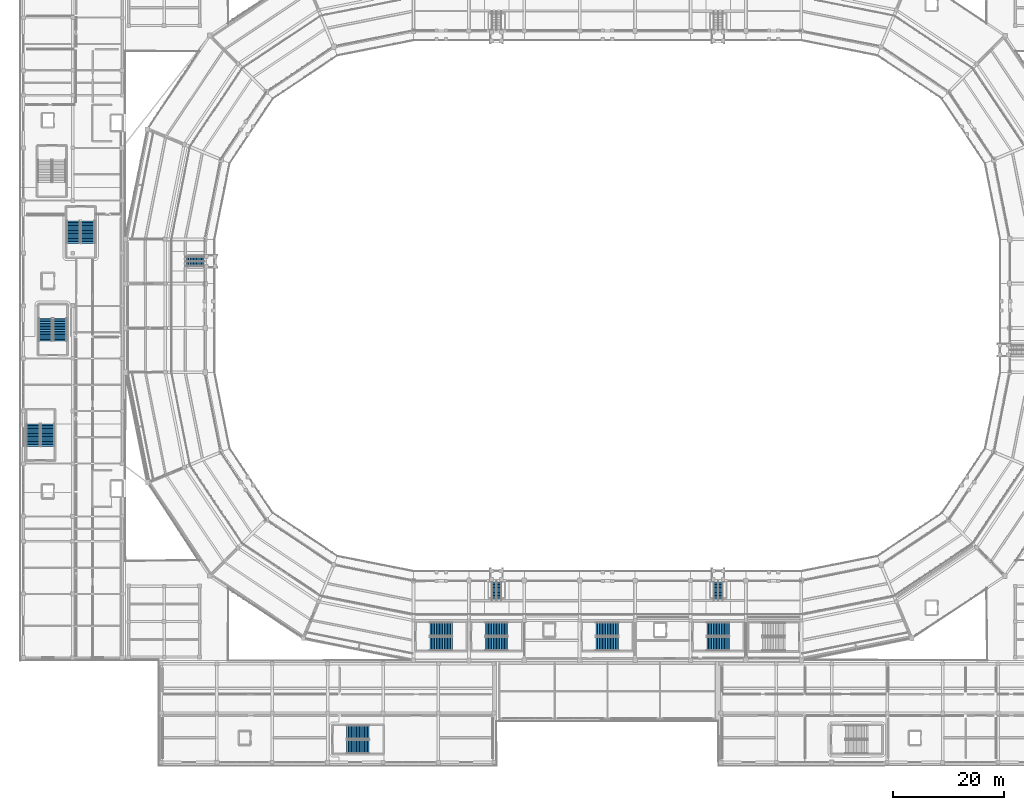
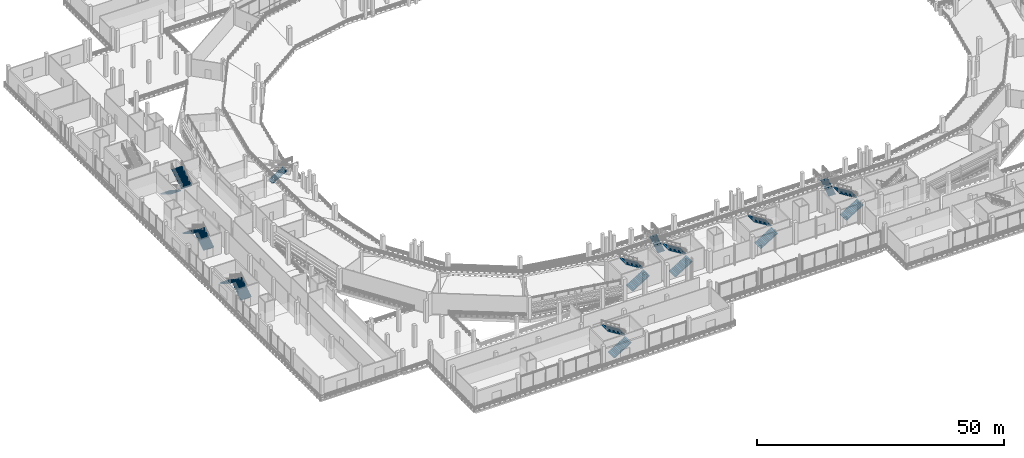
# One storey, part 88 of 127: 19 stair flights, 11 elements without a shape of their own.
"""IFC4 building model written with IfcOpenShell, lengths in metres."""

from ifc_helpers import new_model, si_unit, direction, frame, origin, place, context, subcontext, project, spatial, polyline, outline, extrude, material, type_object, element, aggregate, save


model = new_model("IFC4")

# Units and contexts
model_context = context("Model", 3, precision=1e-05, world=origin(), true_north=direction((0.0, 1.0)))
body_context = subcontext(model_context, "Body", "Model", "MODEL_VIEW")
ifc_project = project(units=[si_unit("LENGTHUNIT", "METRE"), si_unit("AREAUNIT", "SQUARE_METRE"), si_unit("VOLUMEUNIT", "CUBIC_METRE"), si_unit("PLANEANGLEUNIT", "RADIAN"), si_unit("MASSUNIT", "GRAM", prefix="KILO")], contexts=[model_context])

# Site, building, storey
site_placement = place(None, origin())
site = spatial("IfcSite", under=ifc_project, at=site_placement, CompositionType="ELEMENT")
building_placement = place(site_placement, origin())
building = spatial("IfcBuilding", under=site, at=building_placement, Name="Candeia Ridge Stadium", CompositionType="ELEMENT")
storey_placement = place(building_placement, frame((0.0, 0.0, 10.800048828125)))
storey = spatial("IfcBuildingStorey", under=building, at=storey_placement, Name="L02", CompositionType="ELEMENT", Elevation=10.800048828125)

# Stair, stair flights
ifc_material_1 = material(Name="Concrete C40/50", Category="concrete")
stair_type_1 = type_object("IfcStairType", Name="Enclosed Core Half-Turn Stair 2450", PredefinedType="HALF_TURN_STAIR", material=ifc_material_1)
stair_1_placement = place(storey_placement, origin())
stair_1 = element("IfcStair", 1, at=stair_1_placement, inside=storey, type_object=stair_type_1, Name="L02 Enclosed exit stair ST02", PredefinedType="HALF_TURN_STAIR")
ifc_material_2 = material(Name="Precast concrete C40/50", Category="concrete")
stair_flight_type_1 = type_object("IfcStairFlightType", Name="Core Precast Stair Flight 2450", PredefinedType="STRAIGHT", material=ifc_material_2)
stair_flight_1_placement = place(storey_placement, frame((73.949951171875, 22.02490234375, 0.0), z_axis=(0.0, 0.0, 1.0), x_axis=(1.0, 0.0, 0.0)))
stair_flight_1 = element("IfcStairFlight", 2, at=stair_flight_1_placement, type_object=stair_flight_type_1, Name="ST02 flight 1", NumberOfRisers=15, NumberOfTreads=14, PredefinedType="STRAIGHT", RiserHeight=0.18, TreadLength=0.29, context=body_context, shape_type="SweptSolid", body=[
    extrude(outline(polyline([(0.0, 0.0), (0.0, 0.179931640625), (0.2900390625, 0.179931640625), (0.2900390625, 0.360107421875), (0.580078125, 0.360107421875), (0.580078125, 0.5400390625), (0.8701171875, 0.5400390625), (0.8701171875, 0.719970703125), (1.159912109375, 0.719970703125), (1.159912109375, 0.89990234375), (1.449951171875, 0.89990234375), (1.449951171875, 1.080078125), (1.739990234375, 1.080078125), (1.739990234375, 1.260009765625), (2.030029296875, 1.260009765625), (2.030029296875, 1.43994140625), (2.320068359375, 1.43994140625), (2.320068359375, 1.6201171875), (2.610107421875, 1.6201171875), (2.610107421875, 1.800048828125), (2.89990234375, 1.800048828125), (2.89990234375, 1.97998046875), (3.18994140625, 1.97998046875), (3.18994140625, 2.159912109375), (3.47998046875, 2.159912109375), (3.47998046875, 2.340087890625), (3.77001953125, 2.340087890625), (3.77001953125, 2.52001953125), (4.06005859375, 2.52001953125), (4.06005859375, 2.699951171875), (4.06005859375, 2.331787109375), (0.30322265625, 0.0), (0.0, 0.0)])), frame((0.0, 1.22509765625, 0.0), z_axis=(0.0, -1.0, 0.0), x_axis=(1.0, 0.0, 0.0)), (0.0, 0.0, 1.0), 2.449951171875),
])
stair_flight_2_placement = place(storey_placement, frame((78.010009765625, 24.625, 2.699951171875), z_axis=(0.0, 0.0, 1.0), x_axis=(-1.0, 0.0, 0.0)))
stair_flight_2 = element("IfcStairFlight", 3, at=stair_flight_2_placement, type_object=stair_flight_type_1, Name="ST02 flight 2", NumberOfRisers=15, NumberOfTreads=14, PredefinedType="STRAIGHT", RiserHeight=0.18, TreadLength=0.29, context=body_context, shape_type="SweptSolid", body=[
    extrude(outline(polyline([(0.0, 0.0), (0.0, 0.179931640625), (0.2900390625, 0.179931640625), (0.2900390625, 0.360107421875), (0.580078125, 0.360107421875), (0.580078125, 0.5400390625), (0.8701171875, 0.5400390625), (0.8701171875, 0.719970703125), (1.159912109375, 0.719970703125), (1.159912109375, 0.89990234375), (1.449951171875, 0.89990234375), (1.449951171875, 1.080078125), (1.739990234375, 1.080078125), (1.739990234375, 1.260009765625), (2.030029296875, 1.260009765625), (2.030029296875, 1.43994140625), (2.320068359375, 1.43994140625), (2.320068359375, 1.6201171875), (2.610107421875, 1.6201171875), (2.610107421875, 1.800048828125), (2.89990234375, 1.800048828125), (2.89990234375, 1.97998046875), (3.18994140625, 1.97998046875), (3.18994140625, 2.159912109375), (3.47998046875, 2.159912109375), (3.47998046875, 2.340087890625), (3.77001953125, 2.340087890625), (3.77001953125, 2.52001953125), (4.06005859375, 2.52001953125), (4.06005859375, 2.699951171875), (4.06005859375, 2.331787109375), (0.30322265625, 0.0), (0.0, 0.0)])), frame((0.0, 1.22509765625, 0.0), z_axis=(0.0, -1.0, 0.0), x_axis=(1.0, 0.0, 0.0)), (0.0, 0.0, 1.0), 2.449951171875),
])
aggregate(stair_1, [stair_flight_1, stair_flight_2])

stair_2_placement = place(storey_placement, origin())
stair_2 = element("IfcStair", 4, at=stair_2_placement, inside=storey, type_object=stair_type_1, Name="L02 Enclosed exit stair ST05", PredefinedType="HALF_TURN_STAIR")
stair_flight_3_placement = place(storey_placement, frame((4.97509765625, 57.64990234375, 0.0), z_axis=(0.0, 0.0, 1.0), x_axis=(0.0, 1.0, 0.0)))
stair_flight_3 = element("IfcStairFlight", 5, at=stair_flight_3_placement, type_object=stair_flight_type_1, Name="ST05 flight 1", NumberOfRisers=15, NumberOfTreads=14, PredefinedType="STRAIGHT", RiserHeight=0.18, TreadLength=0.29, context=body_context, shape_type="SweptSolid", body=[
    extrude(outline(polyline([(0.0, 0.0), (0.0, 0.179931640625), (0.2900390625, 0.179931640625), (0.2900390625, 0.360107421875), (0.580078125, 0.360107421875), (0.580078125, 0.5400390625), (0.8701171875, 0.5400390625), (0.8701171875, 0.719970703125), (1.159912109375, 0.719970703125), (1.159912109375, 0.89990234375), (1.449951171875, 0.89990234375), (1.449951171875, 1.080078125), (1.739990234375, 1.080078125), (1.739990234375, 1.260009765625), (2.030029296875, 1.260009765625), (2.030029296875, 1.43994140625), (2.320068359375, 1.43994140625), (2.320068359375, 1.6201171875), (2.610107421875, 1.6201171875), (2.610107421875, 1.800048828125), (2.89990234375, 1.800048828125), (2.89990234375, 1.97998046875), (3.18994140625, 1.97998046875), (3.18994140625, 2.159912109375), (3.47998046875, 2.159912109375), (3.47998046875, 2.340087890625), (3.77001953125, 2.340087890625), (3.77001953125, 2.52001953125), (4.06005859375, 2.52001953125), (4.06005859375, 2.699951171875), (4.06005859375, 2.331787109375), (0.30322265625, 0.0), (0.0, 0.0)])), frame((0.0, 1.22509765625, 0.0), z_axis=(0.0, -1.0, 0.0), x_axis=(1.0, 0.0, 0.0)), (0.0, 0.0, 1.0), 2.449951171875),
])
stair_flight_4_placement = place(storey_placement, frame((2.375, 61.7099609375, 2.699951171875), z_axis=(0.0, 0.0, 1.0), x_axis=(0.0, -1.0, 0.0)))
stair_flight_4 = element("IfcStairFlight", 6, at=stair_flight_4_placement, type_object=stair_flight_type_1, Name="ST05 flight 2", NumberOfRisers=15, NumberOfTreads=14, PredefinedType="STRAIGHT", RiserHeight=0.18, TreadLength=0.29, context=body_context, shape_type="SweptSolid", body=[
    extrude(outline(polyline([(0.0, 0.0), (0.0, 0.179931640625), (0.2900390625, 0.179931640625), (0.2900390625, 0.360107421875), (0.580078125, 0.360107421875), (0.580078125, 0.5400390625), (0.8701171875, 0.5400390625), (0.8701171875, 0.719970703125), (1.159912109375, 0.719970703125), (1.159912109375, 0.89990234375), (1.449951171875, 0.89990234375), (1.449951171875, 1.080078125), (1.739990234375, 1.080078125), (1.739990234375, 1.260009765625), (2.030029296875, 1.260009765625), (2.030029296875, 1.43994140625), (2.320068359375, 1.43994140625), (2.320068359375, 1.6201171875), (2.610107421875, 1.6201171875), (2.610107421875, 1.800048828125), (2.89990234375, 1.800048828125), (2.89990234375, 1.97998046875), (3.18994140625, 1.97998046875), (3.18994140625, 2.159912109375), (3.47998046875, 2.159912109375), (3.47998046875, 2.340087890625), (3.77001953125, 2.340087890625), (3.77001953125, 2.52001953125), (4.06005859375, 2.52001953125), (4.06005859375, 2.699951171875), (4.06005859375, 2.331787109375), (0.30322265625, 0.0), (0.0, 0.0)])), frame((0.0, 1.22509765625, 0.0), z_axis=(0.0, -1.0, 0.0), x_axis=(1.0, 0.0, 0.0)), (0.0, 0.0, 1.0), 2.449951171875),
])
aggregate(stair_2, [stair_flight_3, stair_flight_4])

stair_3_placement = place(storey_placement, origin())
stair_3 = element("IfcStair", 7, at=stair_3_placement, inside=storey, type_object=stair_type_1, Name="L02 Enclosed exit stair ST07", PredefinedType="HALF_TURN_STAIR")
stair_flight_5_placement = place(storey_placement, frame((7.175048828125, 76.64990234375, 0.0), z_axis=(0.0, 0.0, 1.0), x_axis=(0.0, 1.0, 0.0)))
stair_flight_5 = element("IfcStairFlight", 8, at=stair_flight_5_placement, type_object=stair_flight_type_1, Name="ST07 flight 1", NumberOfRisers=15, NumberOfTreads=14, PredefinedType="STRAIGHT", RiserHeight=0.18, TreadLength=0.29, context=body_context, shape_type="SweptSolid", body=[
    extrude(outline(polyline([(0.0, 0.0), (0.0, 0.179931640625), (0.2900390625, 0.179931640625), (0.2900390625, 0.360107421875), (0.580078125, 0.360107421875), (0.580078125, 0.5400390625), (0.8701171875, 0.5400390625), (0.8701171875, 0.719970703125), (1.159912109375, 0.719970703125), (1.159912109375, 0.89990234375), (1.449951171875, 0.89990234375), (1.449951171875, 1.080078125), (1.739990234375, 1.080078125), (1.739990234375, 1.260009765625), (2.030029296875, 1.260009765625), (2.030029296875, 1.43994140625), (2.320068359375, 1.43994140625), (2.320068359375, 1.6201171875), (2.610107421875, 1.6201171875), (2.610107421875, 1.800048828125), (2.89990234375, 1.800048828125), (2.89990234375, 1.97998046875), (3.18994140625, 1.97998046875), (3.18994140625, 2.159912109375), (3.47998046875, 2.159912109375), (3.47998046875, 2.340087890625), (3.77001953125, 2.340087890625), (3.77001953125, 2.52001953125), (4.06005859375, 2.52001953125), (4.06005859375, 2.699951171875), (4.06005859375, 2.331787109375), (0.30322265625, 0.0), (0.0, 0.0)])), frame((0.0, 1.22509765625, 0.0), z_axis=(0.0, -1.0, 0.0), x_axis=(1.0, 0.0, 0.0)), (0.0, 0.0, 1.0), 2.449951171875),
])
stair_flight_6_placement = place(storey_placement, frame((4.574951171875, 80.7099609375, 2.699951171875), z_axis=(0.0, 0.0, 1.0), x_axis=(0.0, -1.0, 0.0)))
stair_flight_6 = element("IfcStairFlight", 9, at=stair_flight_6_placement, type_object=stair_flight_type_1, Name="ST07 flight 2", NumberOfRisers=15, NumberOfTreads=14, PredefinedType="STRAIGHT", RiserHeight=0.18, TreadLength=0.29, context=body_context, shape_type="SweptSolid", body=[
    extrude(outline(polyline([(0.0, 0.0), (0.0, 0.179931640625), (0.2900390625, 0.179931640625), (0.2900390625, 0.360107421875), (0.580078125, 0.360107421875), (0.580078125, 0.5400390625), (0.8701171875, 0.5400390625), (0.8701171875, 0.719970703125), (1.159912109375, 0.719970703125), (1.159912109375, 0.89990234375), (1.449951171875, 0.89990234375), (1.449951171875, 1.080078125), (1.739990234375, 1.080078125), (1.739990234375, 1.260009765625), (2.030029296875, 1.260009765625), (2.030029296875, 1.43994140625), (2.320068359375, 1.43994140625), (2.320068359375, 1.6201171875), (2.610107421875, 1.6201171875), (2.610107421875, 1.800048828125), (2.89990234375, 1.800048828125), (2.89990234375, 1.97998046875), (3.18994140625, 1.97998046875), (3.18994140625, 2.159912109375), (3.47998046875, 2.159912109375), (3.47998046875, 2.340087890625), (3.77001953125, 2.340087890625), (3.77001953125, 2.52001953125), (4.06005859375, 2.52001953125), (4.06005859375, 2.699951171875), (4.06005859375, 2.331787109375), (0.30322265625, 0.0), (0.0, 0.0)])), frame((0.0, 1.22509765625, 0.0), z_axis=(0.0, -1.0, 0.0), x_axis=(1.0, 0.0, 0.0)), (0.0, 0.0, 1.0), 2.449951171875),
])
aggregate(stair_3, [stair_flight_5, stair_flight_6])

stair_4_placement = place(storey_placement, origin())
stair_4 = element("IfcStair", 10, at=stair_4_placement, inside=storey, type_object=stair_type_1, Name="L02 Enclosed exit stair ST08", PredefinedType="HALF_TURN_STAIR")
stair_flight_7_placement = place(storey_placement, frame((9.625, 98.35009765625, 0.0), z_axis=(0.0, 0.0, 1.0), x_axis=(0.0, -1.0, 0.0)))
stair_flight_7 = element("IfcStairFlight", 11, at=stair_flight_7_placement, type_object=stair_flight_type_1, Name="ST08 flight 1", NumberOfRisers=15, NumberOfTreads=14, PredefinedType="STRAIGHT", RiserHeight=0.18, TreadLength=0.29, context=body_context, shape_type="SweptSolid", body=[
    extrude(outline(polyline([(0.0, 0.0), (0.0, 0.179931640625), (0.2900390625, 0.179931640625), (0.2900390625, 0.360107421875), (0.580078125, 0.360107421875), (0.580078125, 0.5400390625), (0.8701171875, 0.5400390625), (0.8701171875, 0.719970703125), (1.159912109375, 0.719970703125), (1.159912109375, 0.89990234375), (1.449951171875, 0.89990234375), (1.449951171875, 1.080078125), (1.739990234375, 1.080078125), (1.739990234375, 1.260009765625), (2.030029296875, 1.260009765625), (2.030029296875, 1.43994140625), (2.320068359375, 1.43994140625), (2.320068359375, 1.6201171875), (2.610107421875, 1.6201171875), (2.610107421875, 1.800048828125), (2.89990234375, 1.800048828125), (2.89990234375, 1.97998046875), (3.18994140625, 1.97998046875), (3.18994140625, 2.159912109375), (3.47998046875, 2.159912109375), (3.47998046875, 2.340087890625), (3.77001953125, 2.340087890625), (3.77001953125, 2.52001953125), (4.06005859375, 2.52001953125), (4.06005859375, 2.699951171875), (4.06005859375, 2.331787109375), (0.30322265625, 0.0), (0.0, 0.0)])), frame((0.0, 1.22509765625, 0.0), z_axis=(0.0, -1.0, 0.0), x_axis=(1.0, 0.0, 0.0)), (0.0, 0.0, 1.0), 2.449951171875),
])
stair_flight_8_placement = place(storey_placement, frame((12.22509765625, 94.2900390625, 2.699951171875), z_axis=(0.0, 0.0, 1.0), x_axis=(0.0, 1.0, 0.0)))
stair_flight_8 = element("IfcStairFlight", 12, at=stair_flight_8_placement, type_object=stair_flight_type_1, Name="ST08 flight 2", NumberOfRisers=15, NumberOfTreads=14, PredefinedType="STRAIGHT", RiserHeight=0.18, TreadLength=0.29, context=body_context, shape_type="SweptSolid", body=[
    extrude(outline(polyline([(0.0, 0.0), (0.0, 0.179931640625), (0.2900390625, 0.179931640625), (0.2900390625, 0.360107421875), (0.580078125, 0.360107421875), (0.580078125, 0.5400390625), (0.8701171875, 0.5400390625), (0.8701171875, 0.719970703125), (1.159912109375, 0.719970703125), (1.159912109375, 0.89990234375), (1.449951171875, 0.89990234375), (1.449951171875, 1.080078125), (1.739990234375, 1.080078125), (1.739990234375, 1.260009765625), (2.030029296875, 1.260009765625), (2.030029296875, 1.43994140625), (2.320068359375, 1.43994140625), (2.320068359375, 1.6201171875), (2.610107421875, 1.6201171875), (2.610107421875, 1.800048828125), (2.89990234375, 1.800048828125), (2.89990234375, 1.97998046875), (3.18994140625, 1.97998046875), (3.18994140625, 2.159912109375), (3.47998046875, 2.159912109375), (3.47998046875, 2.340087890625), (3.77001953125, 2.340087890625), (3.77001953125, 2.52001953125), (4.06005859375, 2.52001953125), (4.06005859375, 2.699951171875), (4.06005859375, 2.331787109375), (0.30322265625, 0.0), (0.0, 0.0)])), frame((0.0, 1.22509765625, 0.0), z_axis=(0.0, -1.0, 0.0), x_axis=(1.0, 0.0, 0.0)), (0.0, 0.0, 1.0), 2.449951171875),
])
aggregate(stair_4, [stair_flight_7, stair_flight_8])

stair_5_placement = place(storey_placement, origin())
stair_5 = element("IfcStair", 13, at=stair_5_placement, inside=storey, type_object=stair_type_1, Name="L02 Enclosed exit stair ST11", PredefinedType="HALF_TURN_STAIR")
stair_flight_9_placement = place(storey_placement, frame((83.949951171875, 22.02490234375, 0.0), z_axis=(0.0, 0.0, 1.0), x_axis=(1.0, 0.0, 0.0)))
stair_flight_9 = element("IfcStairFlight", 14, at=stair_flight_9_placement, type_object=stair_flight_type_1, Name="ST11 flight 1", NumberOfRisers=15, NumberOfTreads=14, PredefinedType="STRAIGHT", RiserHeight=0.18, TreadLength=0.29, context=body_context, shape_type="SweptSolid", body=[
    extrude(outline(polyline([(0.0, 0.0), (0.0, 0.179931640625), (0.2900390625, 0.179931640625), (0.2900390625, 0.360107421875), (0.580078125, 0.360107421875), (0.580078125, 0.5400390625), (0.8701171875, 0.5400390625), (0.8701171875, 0.719970703125), (1.159912109375, 0.719970703125), (1.159912109375, 0.89990234375), (1.449951171875, 0.89990234375), (1.449951171875, 1.080078125), (1.739990234375, 1.080078125), (1.739990234375, 1.260009765625), (2.030029296875, 1.260009765625), (2.030029296875, 1.43994140625), (2.320068359375, 1.43994140625), (2.320068359375, 1.6201171875), (2.610107421875, 1.6201171875), (2.610107421875, 1.800048828125), (2.89990234375, 1.800048828125), (2.89990234375, 1.97998046875), (3.18994140625, 1.97998046875), (3.18994140625, 2.159912109375), (3.47998046875, 2.159912109375), (3.47998046875, 2.340087890625), (3.77001953125, 2.340087890625), (3.77001953125, 2.52001953125), (4.06005859375, 2.52001953125), (4.06005859375, 2.699951171875), (4.06005859375, 2.331787109375), (0.30322265625, 0.0), (0.0, 0.0)])), frame((0.0, 1.22509765625, 0.0), z_axis=(0.0, -1.0, 0.0), x_axis=(1.0, 0.0, 0.0)), (0.0, 0.0, 1.0), 2.449951171875),
])
stair_flight_10_placement = place(storey_placement, frame((88.010009765625, 24.625, 2.699951171875), z_axis=(0.0, 0.0, 1.0), x_axis=(-1.0, 0.0, 0.0)))
stair_flight_10 = element("IfcStairFlight", 15, at=stair_flight_10_placement, type_object=stair_flight_type_1, Name="ST11 flight 2", NumberOfRisers=15, NumberOfTreads=14, PredefinedType="STRAIGHT", RiserHeight=0.18, TreadLength=0.29, context=body_context, shape_type="SweptSolid", body=[
    extrude(outline(polyline([(0.0, 0.0), (0.0, 0.179931640625), (0.2900390625, 0.179931640625), (0.2900390625, 0.360107421875), (0.580078125, 0.360107421875), (0.580078125, 0.5400390625), (0.8701171875, 0.5400390625), (0.8701171875, 0.719970703125), (1.159912109375, 0.719970703125), (1.159912109375, 0.89990234375), (1.449951171875, 0.89990234375), (1.449951171875, 1.080078125), (1.739990234375, 1.080078125), (1.739990234375, 1.260009765625), (2.030029296875, 1.260009765625), (2.030029296875, 1.43994140625), (2.320068359375, 1.43994140625), (2.320068359375, 1.6201171875), (2.610107421875, 1.6201171875), (2.610107421875, 1.800048828125), (2.89990234375, 1.800048828125), (2.89990234375, 1.97998046875), (3.18994140625, 1.97998046875), (3.18994140625, 2.159912109375), (3.47998046875, 2.159912109375), (3.47998046875, 2.340087890625), (3.77001953125, 2.340087890625), (3.77001953125, 2.52001953125), (4.06005859375, 2.52001953125), (4.06005859375, 2.699951171875), (4.06005859375, 2.331787109375), (0.30322265625, 0.0), (0.0, 0.0)])), frame((0.0, 1.22509765625, 0.0), z_axis=(0.0, -1.0, 0.0), x_axis=(1.0, 0.0, 0.0)), (0.0, 0.0, 1.0), 2.449951171875),
])
aggregate(stair_5, [stair_flight_9, stair_flight_10])

stair_6_placement = place(storey_placement, origin())
stair_6 = element("IfcStair", 16, at=stair_6_placement, inside=storey, type_object=stair_type_1, Name="L02 Enclosed exit stair ST12", PredefinedType="HALF_TURN_STAIR")
stair_flight_11_placement = place(storey_placement, frame((123.949951171875, 22.02490234375, 0.0), z_axis=(0.0, 0.0, 1.0), x_axis=(1.0, 0.0, 0.0)))
stair_flight_11 = element("IfcStairFlight", 17, at=stair_flight_11_placement, type_object=stair_flight_type_1, Name="ST12 flight 1", NumberOfRisers=15, NumberOfTreads=14, PredefinedType="STRAIGHT", RiserHeight=0.18, TreadLength=0.29, context=body_context, shape_type="SweptSolid", body=[
    extrude(outline(polyline([(0.0, 0.0), (0.0, 0.179931640625), (0.2900390625, 0.179931640625), (0.2900390625, 0.360107421875), (0.580078125, 0.360107421875), (0.580078125, 0.5400390625), (0.8701171875, 0.5400390625), (0.8701171875, 0.719970703125), (1.159912109375, 0.719970703125), (1.159912109375, 0.89990234375), (1.449951171875, 0.89990234375), (1.449951171875, 1.080078125), (1.739990234375, 1.080078125), (1.739990234375, 1.260009765625), (2.030029296875, 1.260009765625), (2.030029296875, 1.43994140625), (2.320068359375, 1.43994140625), (2.320068359375, 1.6201171875), (2.610107421875, 1.6201171875), (2.610107421875, 1.800048828125), (2.89990234375, 1.800048828125), (2.89990234375, 1.97998046875), (3.18994140625, 1.97998046875), (3.18994140625, 2.159912109375), (3.47998046875, 2.159912109375), (3.47998046875, 2.340087890625), (3.77001953125, 2.340087890625), (3.77001953125, 2.52001953125), (4.06005859375, 2.52001953125), (4.06005859375, 2.699951171875), (4.06005859375, 2.331787109375), (0.30322265625, 0.0), (0.0, 0.0)])), frame((0.0, 1.22509765625, 0.0), z_axis=(0.0, -1.0, 0.0), x_axis=(1.0, 0.0, 0.0)), (0.0, 0.0, 1.0), 2.449951171875),
])
stair_flight_12_placement = place(storey_placement, frame((128.010009765625, 24.625, 2.699951171875), z_axis=(0.0, 0.0, 1.0), x_axis=(-1.0, 0.0, 0.0)))
stair_flight_12 = element("IfcStairFlight", 18, at=stair_flight_12_placement, type_object=stair_flight_type_1, Name="ST12 flight 2", NumberOfRisers=15, NumberOfTreads=14, PredefinedType="STRAIGHT", RiserHeight=0.18, TreadLength=0.29, context=body_context, shape_type="SweptSolid", body=[
    extrude(outline(polyline([(0.0, 0.0), (0.0, 0.179931640625), (0.2900390625, 0.179931640625), (0.2900390625, 0.360107421875), (0.580078125, 0.360107421875), (0.580078125, 0.5400390625), (0.8701171875, 0.5400390625), (0.8701171875, 0.719970703125), (1.159912109375, 0.719970703125), (1.159912109375, 0.89990234375), (1.449951171875, 0.89990234375), (1.449951171875, 1.080078125), (1.739990234375, 1.080078125), (1.739990234375, 1.260009765625), (2.030029296875, 1.260009765625), (2.030029296875, 1.43994140625), (2.320068359375, 1.43994140625), (2.320068359375, 1.6201171875), (2.610107421875, 1.6201171875), (2.610107421875, 1.800048828125), (2.89990234375, 1.800048828125), (2.89990234375, 1.97998046875), (3.18994140625, 1.97998046875), (3.18994140625, 2.159912109375), (3.47998046875, 2.159912109375), (3.47998046875, 2.340087890625), (3.77001953125, 2.340087890625), (3.77001953125, 2.52001953125), (4.06005859375, 2.52001953125), (4.06005859375, 2.699951171875), (4.06005859375, 2.331787109375), (0.30322265625, 0.0), (0.0, 0.0)])), frame((0.0, 1.22509765625, 0.0), z_axis=(0.0, -1.0, 0.0), x_axis=(1.0, 0.0, 0.0)), (0.0, 0.0, 1.0), 2.449951171875),
])
aggregate(stair_6, [stair_flight_11, stair_flight_12])

stair_7_placement = place(storey_placement, origin())
stair_7 = element("IfcStair", 19, at=stair_7_placement, inside=storey, type_object=stair_type_1, Name="L02 Enclosed exit stair ST13", PredefinedType="HALF_TURN_STAIR")
stair_flight_13_placement = place(storey_placement, frame((58.949951171875, 3.425048828125, 0.0), z_axis=(0.0, 0.0, 1.0), x_axis=(1.0, 0.0, 0.0)))
stair_flight_13 = element("IfcStairFlight", 20, at=stair_flight_13_placement, type_object=stair_flight_type_1, Name="ST13 flight 1", NumberOfRisers=15, NumberOfTreads=14, PredefinedType="STRAIGHT", RiserHeight=0.18, TreadLength=0.29, context=body_context, shape_type="SweptSolid", body=[
    extrude(outline(polyline([(0.0, 0.0), (0.0, 0.179931640625), (0.2900390625, 0.179931640625), (0.2900390625, 0.360107421875), (0.580078125, 0.360107421875), (0.580078125, 0.5400390625), (0.8701171875, 0.5400390625), (0.8701171875, 0.719970703125), (1.159912109375, 0.719970703125), (1.159912109375, 0.89990234375), (1.449951171875, 0.89990234375), (1.449951171875, 1.080078125), (1.739990234375, 1.080078125), (1.739990234375, 1.260009765625), (2.030029296875, 1.260009765625), (2.030029296875, 1.43994140625), (2.320068359375, 1.43994140625), (2.320068359375, 1.6201171875), (2.610107421875, 1.6201171875), (2.610107421875, 1.800048828125), (2.89990234375, 1.800048828125), (2.89990234375, 1.97998046875), (3.18994140625, 1.97998046875), (3.18994140625, 2.159912109375), (3.47998046875, 2.159912109375), (3.47998046875, 2.340087890625), (3.77001953125, 2.340087890625), (3.77001953125, 2.52001953125), (4.06005859375, 2.52001953125), (4.06005859375, 2.699951171875), (4.06005859375, 2.331787109375), (0.30322265625, 0.0), (0.0, 0.0)])), frame((0.0, 1.22509765625, 0.0), z_axis=(0.0, -1.0, 0.0), x_axis=(1.0, 0.0, 0.0)), (0.0, 0.0, 1.0), 2.449951171875),
])
stair_flight_14_placement = place(storey_placement, frame((63.010009765625, 6.02490234375, 2.699951171875), z_axis=(0.0, 0.0, 1.0), x_axis=(-1.0, 0.0, 0.0)))
stair_flight_14 = element("IfcStairFlight", 21, at=stair_flight_14_placement, type_object=stair_flight_type_1, Name="ST13 flight 2", NumberOfRisers=15, NumberOfTreads=14, PredefinedType="STRAIGHT", RiserHeight=0.18, TreadLength=0.29, context=body_context, shape_type="SweptSolid", body=[
    extrude(outline(polyline([(0.0, 0.0), (0.0, 0.179931640625), (0.2900390625, 0.179931640625), (0.2900390625, 0.360107421875), (0.580078125, 0.360107421875), (0.580078125, 0.5400390625), (0.8701171875, 0.5400390625), (0.8701171875, 0.719970703125), (1.159912109375, 0.719970703125), (1.159912109375, 0.89990234375), (1.449951171875, 0.89990234375), (1.449951171875, 1.080078125), (1.739990234375, 1.080078125), (1.739990234375, 1.260009765625), (2.030029296875, 1.260009765625), (2.030029296875, 1.43994140625), (2.320068359375, 1.43994140625), (2.320068359375, 1.6201171875), (2.610107421875, 1.6201171875), (2.610107421875, 1.800048828125), (2.89990234375, 1.800048828125), (2.89990234375, 1.97998046875), (3.18994140625, 1.97998046875), (3.18994140625, 2.159912109375), (3.47998046875, 2.159912109375), (3.47998046875, 2.340087890625), (3.77001953125, 2.340087890625), (3.77001953125, 2.52001953125), (4.06005859375, 2.52001953125), (4.06005859375, 2.699951171875), (4.06005859375, 2.331787109375), (0.30322265625, 0.0), (0.0, 0.0)])), frame((0.0, 1.22509765625, 0.0), z_axis=(0.0, -1.0, 0.0), x_axis=(1.0, 0.0, 0.0)), (0.0, 0.0, 1.0), 2.449951171875),
])
aggregate(stair_7, [stair_flight_13, stair_flight_14])

stair_8_placement = place(storey_placement, origin())
stair_8 = element("IfcStair", 22, at=stair_8_placement, inside=storey, type_object=stair_type_1, Name="L02 Enclosed exit stair ST18", PredefinedType="HALF_TURN_STAIR")
stair_flight_15_placement = place(storey_placement, frame((103.949951171875, 22.02490234375, 0.0), z_axis=(0.0, 0.0, 1.0), x_axis=(1.0, 0.0, 0.0)))
stair_flight_15 = element("IfcStairFlight", 23, at=stair_flight_15_placement, type_object=stair_flight_type_1, Name="ST18 flight 1", NumberOfRisers=15, NumberOfTreads=14, PredefinedType="STRAIGHT", RiserHeight=0.18, TreadLength=0.29, context=body_context, shape_type="SweptSolid", body=[
    extrude(outline(polyline([(0.0, 0.0), (0.0, 0.179931640625), (0.2900390625, 0.179931640625), (0.2900390625, 0.360107421875), (0.580078125, 0.360107421875), (0.580078125, 0.5400390625), (0.8701171875, 0.5400390625), (0.8701171875, 0.719970703125), (1.159912109375, 0.719970703125), (1.159912109375, 0.89990234375), (1.449951171875, 0.89990234375), (1.449951171875, 1.080078125), (1.739990234375, 1.080078125), (1.739990234375, 1.260009765625), (2.030029296875, 1.260009765625), (2.030029296875, 1.43994140625), (2.320068359375, 1.43994140625), (2.320068359375, 1.6201171875), (2.610107421875, 1.6201171875), (2.610107421875, 1.800048828125), (2.89990234375, 1.800048828125), (2.89990234375, 1.97998046875), (3.18994140625, 1.97998046875), (3.18994140625, 2.159912109375), (3.47998046875, 2.159912109375), (3.47998046875, 2.340087890625), (3.77001953125, 2.340087890625), (3.77001953125, 2.52001953125), (4.06005859375, 2.52001953125), (4.06005859375, 2.699951171875), (4.06005859375, 2.331787109375), (0.30322265625, 0.0), (0.0, 0.0)])), frame((0.0, 1.22509765625, 0.0), z_axis=(0.0, -1.0, 0.0), x_axis=(1.0, 0.0, 0.0)), (0.0, 0.0, 1.0), 2.449951171875),
])
stair_flight_16_placement = place(storey_placement, frame((108.010009765625, 24.625, 2.699951171875), z_axis=(0.0, 0.0, 1.0), x_axis=(-1.0, 0.0, 0.0)))
stair_flight_16 = element("IfcStairFlight", 24, at=stair_flight_16_placement, type_object=stair_flight_type_1, Name="ST18 flight 2", NumberOfRisers=15, NumberOfTreads=14, PredefinedType="STRAIGHT", RiserHeight=0.18, TreadLength=0.29, context=body_context, shape_type="SweptSolid", body=[
    extrude(outline(polyline([(0.0, 0.0), (0.0, 0.179931640625), (0.2900390625, 0.179931640625), (0.2900390625, 0.360107421875), (0.580078125, 0.360107421875), (0.580078125, 0.5400390625), (0.8701171875, 0.5400390625), (0.8701171875, 0.719970703125), (1.159912109375, 0.719970703125), (1.159912109375, 0.89990234375), (1.449951171875, 0.89990234375), (1.449951171875, 1.080078125), (1.739990234375, 1.080078125), (1.739990234375, 1.260009765625), (2.030029296875, 1.260009765625), (2.030029296875, 1.43994140625), (2.320068359375, 1.43994140625), (2.320068359375, 1.6201171875), (2.610107421875, 1.6201171875), (2.610107421875, 1.800048828125), (2.89990234375, 1.800048828125), (2.89990234375, 1.97998046875), (3.18994140625, 1.97998046875), (3.18994140625, 2.159912109375), (3.47998046875, 2.159912109375), (3.47998046875, 2.340087890625), (3.77001953125, 2.340087890625), (3.77001953125, 2.52001953125), (4.06005859375, 2.52001953125), (4.06005859375, 2.699951171875), (4.06005859375, 2.331787109375), (0.30322265625, 0.0), (0.0, 0.0)])), frame((0.0, 1.22509765625, 0.0), z_axis=(0.0, -1.0, 0.0), x_axis=(1.0, 0.0, 0.0)), (0.0, 0.0, 1.0), 2.449951171875),
])
aggregate(stair_8, [stair_flight_15, stair_flight_16])

# Stair, stair flight
ifc_material_3 = material(Name="Precast concrete C45/55", Category="concrete")
stair_type_2 = type_object("IfcStairType", Name="Spectator Vomitory Straight Stair 2200", PredefinedType="STRAIGHT_RUN_STAIR", material=ifc_material_3)
stair_9_placement = place(storey_placement, origin())
stair_9 = element("IfcStair", 25, at=stair_9_placement, inside=storey, type_object=stair_type_2, Name="Vomitory stair VS21", PredefinedType="STRAIGHT_RUN_STAIR")
stair_flight_type_2 = type_object("IfcStairFlightType", Name="Vomitory Precast Stair Flight 2200", PredefinedType="STRAIGHT", material=ifc_material_3)
stair_flight_17_placement = place(storey_placement, frame((29.860107421875, 91.0, 0.0), z_axis=(0.0, 0.0, 1.0), x_axis=(1.0, 0.0, 0.0)))
stair_flight_17 = element("IfcStairFlight", 26, at=stair_flight_17_placement, type_object=stair_flight_type_2, Name="VS21 flight 1", NumberOfRisers=13, NumberOfTreads=12, PredefinedType="STRAIGHT", RiserHeight=0.172308, TreadLength=0.285, context=body_context, shape_type="SweptSolid", body=[
    extrude(outline(polyline([(0.0, 0.0), (0.0, 0.17236328125), (0.284912109375, 0.17236328125), (0.284912109375, 0.3447265625), (0.570068359375, 0.3447265625), (0.570068359375, 0.516845703125), (0.85498046875, 0.516845703125), (0.85498046875, 0.689208984375), (1.139892578125, 0.689208984375), (1.139892578125, 0.861572265625), (1.425048828125, 0.861572265625), (1.425048828125, 1.033935546875), (1.7099609375, 1.033935546875), (1.7099609375, 1.2060546875), (1.9951171875, 1.2060546875), (1.9951171875, 1.37841796875), (2.280029296875, 1.37841796875), (2.280029296875, 1.55078125), (2.56494140625, 1.55078125), (2.56494140625, 1.72314453125), (2.85009765625, 1.72314453125), (2.85009765625, 1.8955078125), (3.135009765625, 1.8955078125), (3.135009765625, 2.067626953125), (3.419921875, 2.067626953125), (3.419921875, 2.239990234375), (3.419921875, 1.857421875), (0.34765625, 0.0), (0.0, 0.0)])), frame((0.0, 0.800048828125, 0.0), z_axis=(0.0, -1.0, 0.0), x_axis=(1.0, 0.0, 0.0)), (0.0, 0.0, 1.0), 1.60009765625),
])
aggregate(stair_9, [stair_flight_17])

stair_10_placement = place(storey_placement, origin())
stair_10 = element("IfcStair", 27, at=stair_10_placement, inside=storey, type_object=stair_type_2, Name="Vomitory stair VS22", PredefinedType="STRAIGHT_RUN_STAIR")
stair_flight_18_placement = place(storey_placement, frame((86.0, 29.860107421875, 0.0), z_axis=(0.0, 0.0, 1.0), x_axis=(0.0, 1.0, 0.0)))
stair_flight_18 = element("IfcStairFlight", 28, at=stair_flight_18_placement, type_object=stair_flight_type_2, Name="VS22 flight 1", NumberOfRisers=13, NumberOfTreads=12, PredefinedType="STRAIGHT", RiserHeight=0.172308, TreadLength=0.285, context=body_context, shape_type="SweptSolid", body=[
    extrude(outline(polyline([(0.0, 0.0), (0.0, 0.17236328125), (0.284912109375, 0.17236328125), (0.284912109375, 0.3447265625), (0.570068359375, 0.3447265625), (0.570068359375, 0.516845703125), (0.85498046875, 0.516845703125), (0.85498046875, 0.689208984375), (1.139892578125, 0.689208984375), (1.139892578125, 0.861572265625), (1.425048828125, 0.861572265625), (1.425048828125, 1.033935546875), (1.7099609375, 1.033935546875), (1.7099609375, 1.2060546875), (1.9951171875, 1.2060546875), (1.9951171875, 1.37841796875), (2.280029296875, 1.37841796875), (2.280029296875, 1.55078125), (2.56494140625, 1.55078125), (2.56494140625, 1.72314453125), (2.85009765625, 1.72314453125), (2.85009765625, 1.8955078125), (3.135009765625, 1.8955078125), (3.135009765625, 2.067626953125), (3.419921875, 2.067626953125), (3.419921875, 2.239990234375), (3.419921875, 1.857421875), (0.34765625, 0.0), (0.0, 0.0)])), frame((0.0, 0.800048828125, 0.0), z_axis=(0.0, -1.0, 0.0), x_axis=(1.0, 0.0, 0.0)), (0.0, 0.0, 1.0), 1.60009765625),
])
aggregate(stair_10, [stair_flight_18])

stair_11_placement = place(storey_placement, origin())
stair_11 = element("IfcStair", 29, at=stair_11_placement, inside=storey, type_object=stair_type_2, Name="Vomitory stair VS23", PredefinedType="STRAIGHT_RUN_STAIR")
stair_flight_19_placement = place(storey_placement, frame((126.0, 29.860107421875, 0.0), z_axis=(0.0, 0.0, 1.0), x_axis=(0.0, 1.0, 0.0)))
stair_flight_19 = element("IfcStairFlight", 30, at=stair_flight_19_placement, type_object=stair_flight_type_2, Name="VS23 flight 1", NumberOfRisers=13, NumberOfTreads=12, PredefinedType="STRAIGHT", RiserHeight=0.172308, TreadLength=0.285, context=body_context, shape_type="SweptSolid", body=[
    extrude(outline(polyline([(0.0, 0.0), (0.0, 0.17236328125), (0.284912109375, 0.17236328125), (0.284912109375, 0.3447265625), (0.570068359375, 0.3447265625), (0.570068359375, 0.516845703125), (0.85498046875, 0.516845703125), (0.85498046875, 0.689208984375), (1.139892578125, 0.689208984375), (1.139892578125, 0.861572265625), (1.425048828125, 0.861572265625), (1.425048828125, 1.033935546875), (1.7099609375, 1.033935546875), (1.7099609375, 1.2060546875), (1.9951171875, 1.2060546875), (1.9951171875, 1.37841796875), (2.280029296875, 1.37841796875), (2.280029296875, 1.55078125), (2.56494140625, 1.55078125), (2.56494140625, 1.72314453125), (2.85009765625, 1.72314453125), (2.85009765625, 1.8955078125), (3.135009765625, 1.8955078125), (3.135009765625, 2.067626953125), (3.419921875, 2.067626953125), (3.419921875, 2.239990234375), (3.419921875, 1.857421875), (0.34765625, 0.0), (0.0, 0.0)])), frame((0.0, 0.800048828125, 0.0), z_axis=(0.0, -1.0, 0.0), x_axis=(1.0, 0.0, 0.0)), (0.0, 0.0, 1.0), 1.60009765625),
])
aggregate(stair_11, [stair_flight_19])

save(model, "model.ifc")
